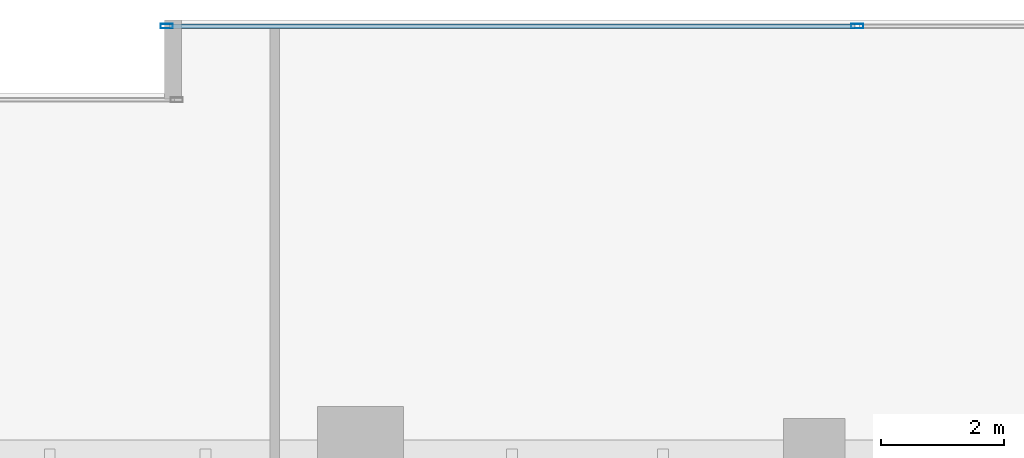
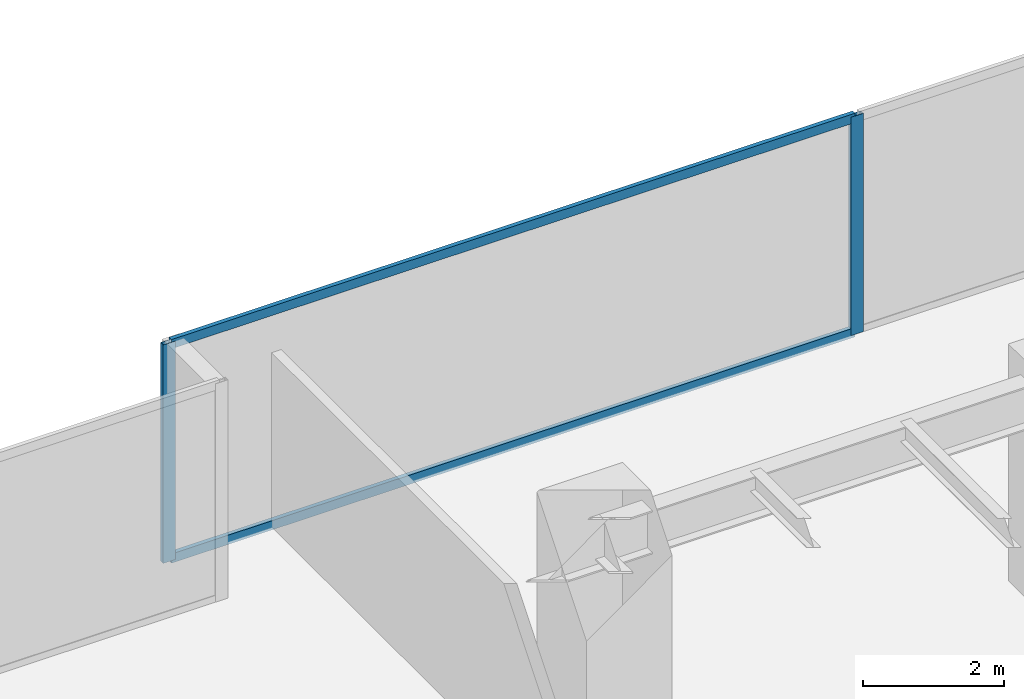
# One storey, part 22 of 35: 4 members, 1 element without a shape of its own.
"""IFC4 building model written with IfcOpenShell, lengths in metres."""

from ifc_helpers import new_model, si_unit, direction, frame, origin, origin_2d, place, context, subcontext, project, spatial, hollow_rectangle, extrude, source, transform, mapped, material, layer, layer_set, material_profile, profile_set, type_object, type_shapes, element, aggregate, save


model = new_model("IFC4")

# Units and contexts
model_context = context("Model", 3, precision=1e-05, world=origin(), true_north=direction((0.0, 1.0)))
body_context = subcontext(model_context, "Body", "Model", "MODEL_VIEW")
ifc_project = project(units=[si_unit("LENGTHUNIT", "METRE"), si_unit("AREAUNIT", "SQUARE_METRE"), si_unit("VOLUMEUNIT", "CUBIC_METRE"), si_unit("PLANEANGLEUNIT", "RADIAN"), si_unit("MASSUNIT", "GRAM", prefix="KILO")], contexts=[model_context])

# Site, building, storey
site_placement = place(None, origin())
site = spatial("IfcSite", under=ifc_project, at=site_placement, CompositionType="ELEMENT")
building_placement = place(site_placement, origin())
building = spatial("IfcBuilding", under=site, at=building_placement, Name="Haelvirn Gate Laboratories", CompositionType="ELEMENT")
storey_placement = place(building_placement, frame((0.0, 0.0, 90.800048828125)))
storey = spatial("IfcBuildingStorey", under=building, at=storey_placement, Name="L22", CompositionType="ELEMENT", Elevation=90.800048828125)

# Curtain wall, members
ifc_material_1 = material(Name="Anodised bronze unitised aluminium & triple low-E glass", Category="aluminium")
ifc_layer = layer(ifc_material_1, 0.18408203125, Name="CW-SYS-2")
ifc_layer_set = layer_set([ifc_layer], Name="Anodised bronze unitised aluminium & triple low-E glass")
curtain_wall_type = type_object("IfcCurtainWallType", Name="CW-SYS-2", PredefinedType="NOTDEFINED", material=ifc_layer_set)
curtain_wall_placement = place(storey_placement, origin())
curtain_wall = element("IfcCurtainWall", 1, at=curtain_wall_placement, inside=storey, type_object=curtain_wall_type, Name="L22 Unitised Curtain Wall CW-L22-P0-E10-1", PredefinedType="NOTDEFINED")
ifc_material_2 = material(Name="Extruded aluminium 6063-T6 (anodised bronze)", Category="aluminium")
ifc_material_profile_1 = material_profile(ifc_material_2, hollow_rectangle(XDim=0.074951171875, YDim=0.199951171875, WallThickness=0.0048828125, at=origin_2d()), Name="CWM-200x75x5")
ifc_profile_set_1 = profile_set([ifc_material_profile_1], Name="Extruded aluminium 6063-T6 (anodised bronze)")
member_type_1 = type_object("IfcMemberType", Name="CWM-T200", PredefinedType="MULLION", material=ifc_profile_set_1)
shared_shape_1 = source(origin(), body_context, "Body", "SweptSolid", [
    extrude(hollow_rectangle(XDim=0.074951171875, YDim=0.199951171875, WallThickness=0.0048828125, at=origin_2d()), origin(), (0.0, 0.0, 1.0), 3.780029296875),
])
type_shapes(member_type_1, [shared_shape_1])
member_1_placement = place(storey_placement, frame((49.4375, 48.5, 0.0), z_axis=(0.0, 0.0, 1.0), x_axis=(0.0, 1.0, 0.0)))
member_1 = element("IfcMember", 2, at=member_1_placement, type_object=member_type_1, Name="CW2 mullion 1", PredefinedType="MULLION", context=body_context, shape_type="MappedRepresentation", body=[
    mapped(shared_shape_1, transform((0.0, 0.0, 0.0), scale=1.0)),
])
member_2_placement = place(storey_placement, frame((60.699951171875, 48.5, 0.0), z_axis=(0.0, 0.0, 1.0), x_axis=(0.0, 1.0, 0.0)))
member_2 = element("IfcMember", 3, at=member_2_placement, type_object=member_type_1, Name="CW2 mullion 2", PredefinedType="MULLION", context=body_context, shape_type="MappedRepresentation", body=[
    mapped(shared_shape_1, transform((0.0, 0.0, 0.0), scale=1.0)),
])
ifc_material_profile_2 = material_profile(ifc_material_2, hollow_rectangle(XDim=0.070068359375, YDim=0.159912109375, WallThickness=0.0048828125, at=origin_2d()), Name="CWT-160x70x5")
ifc_profile_set_2 = profile_set([ifc_material_profile_2], Name="Extruded aluminium 6063-T6 (anodised bronze)")
member_type_2 = type_object("IfcMemberType", Name="CWT-T160", PredefinedType="USERDEFINED", material=ifc_profile_set_2)
shared_shape_2 = source(origin(), body_context, "Body", "SweptSolid", [
    extrude(hollow_rectangle(XDim=0.070068359375, YDim=0.159912109375, WallThickness=0.0048828125, at=origin_2d()), origin(), (0.0, 0.0, 1.0), 11.1875),
])
type_shapes(member_type_2, [shared_shape_2])
member_3_placement = place(storey_placement, frame((49.47509765625, 48.5, 0.034912109375), z_axis=(1.0, 0.0, 0.0), x_axis=(0.0, 1.0, 0.0)))
member_3 = element("IfcMember", 4, at=member_3_placement, type_object=member_type_2, Name="CW2 transom 1.1", ObjectType="TRANSOM", PredefinedType="USERDEFINED", context=body_context, shape_type="MappedRepresentation", body=[
    mapped(shared_shape_2, transform((0.0, 0.0, 0.0), scale=1.0)),
])
member_4_placement = place(storey_placement, frame((49.47509765625, 48.5, 3.744873046875), z_axis=(1.0, 0.0, 0.0), x_axis=(0.0, 1.0, 0.0)))
member_4 = element("IfcMember", 5, at=member_4_placement, type_object=member_type_2, Name="CW2 transom 1.2", ObjectType="TRANSOM", PredefinedType="USERDEFINED", context=body_context, shape_type="MappedRepresentation", body=[
    mapped(shared_shape_2, transform((0.0, 0.0, 0.0), scale=1.0)),
])
aggregate(curtain_wall, [member_1, member_2, member_3, member_4])

save(model, "model.ifc")
